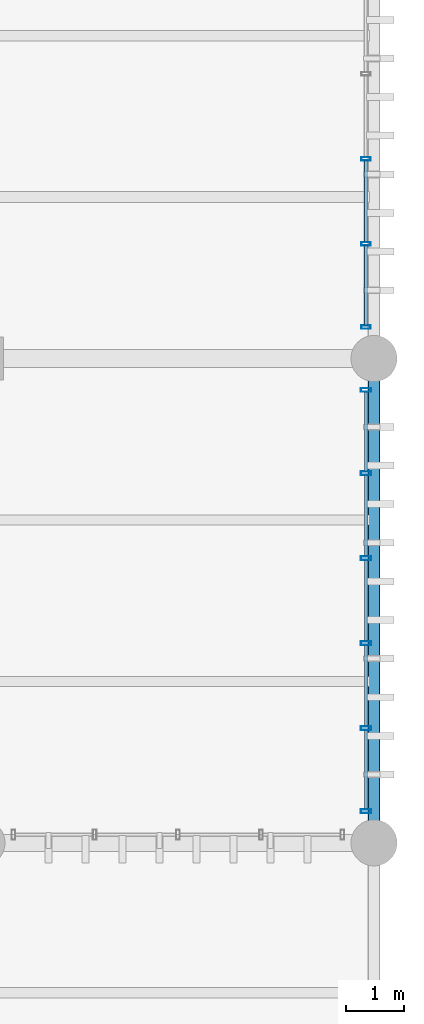
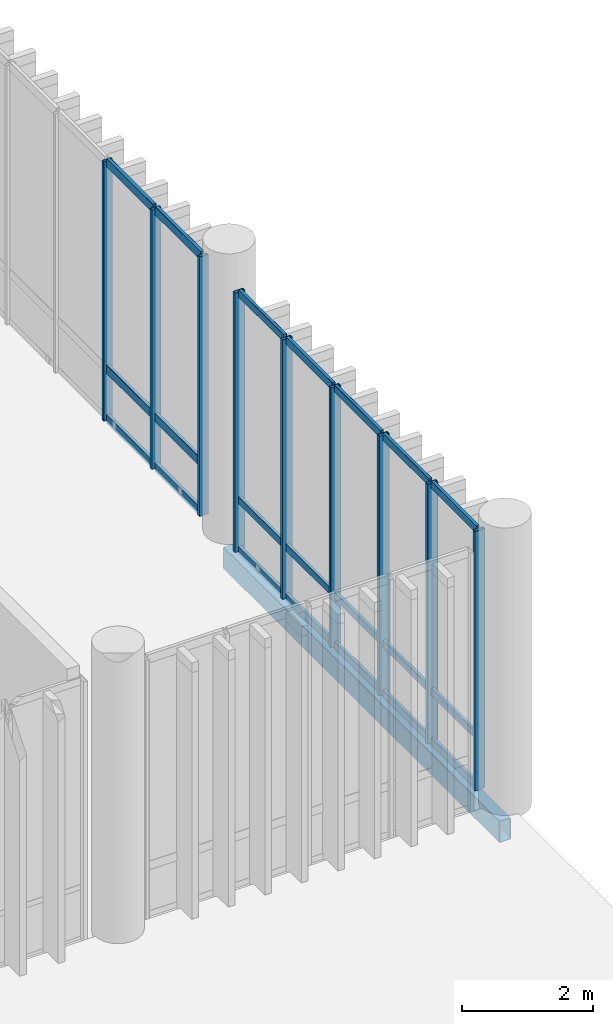
# One storey, part 83 of 128: 30 members, 1 beam, 2 elements without a shape of their own.
"""IFC4 building model written with IfcOpenShell, lengths in metres."""

from ifc_helpers import new_model, si_unit, direction, frame, origin_with_axes, origin_2d_with_axis, place, context, subcontext, project, spatial, hollow_rectangle, extrude, material, material_profile, profile_set, type_object, element, aggregate, save


model = new_model("IFC4")

# Units and contexts
model_context = context("Model", 3, precision=1e-05, world=origin_with_axes(), true_north=direction((0.0, 1.0)))
body_context = subcontext(model_context, "Body", "Model", "MODEL_VIEW")
ifc_project = project(units=[si_unit("LENGTHUNIT", "METRE"), si_unit("AREAUNIT", "SQUARE_METRE"), si_unit("VOLUMEUNIT", "CUBIC_METRE"), si_unit("PLANEANGLEUNIT", "RADIAN"), si_unit("MASSUNIT", "GRAM", prefix="KILO"), si_unit("THERMODYNAMICTEMPERATUREUNIT", "KELVIN")], contexts=[model_context])

# Site, building, storey
site_placement = place(None, origin_with_axes())
site = spatial("IfcSite", under=ifc_project, at=site_placement, CompositionType="ELEMENT")
building_placement = place(site_placement, origin_with_axes())
building = spatial("IfcBuilding", under=site, at=building_placement, Name="Montbau Bow Law Courts", CompositionType="ELEMENT")
storey_placement = place(building_placement, frame((0.0, 0.0, 5.4), z_axis=(0.0, 0.0, 1.0), x_axis=(1.0, 0.0, 0.0)))
storey = spatial("IfcBuildingStorey", under=building, at=storey_placement, Name="L01", CompositionType="ELEMENT", Elevation=5.4)

# Beam
ifc_material_1 = material(Name="Steel CSA G40.21 Grade 350WT (350 MPa)", Category="steel")
ifc_material_profile_1 = material_profile(ifc_material_1, hollow_rectangle(XDim=0.203, YDim=0.406, WallThickness=0.0127, InnerFilletRadius=0.0254, OuterFilletRadius=0.0127, at=origin_2d_with_axis()), Name="HSS406X203X13", Category="Main", Priority=0)
ifc_profile_set_1 = profile_set([ifc_material_profile_1], Name="Steel CSA G40.21 Grade 350WT (350 MPa)")
beam_type = type_object("IfcBeamType", Name="B-SPN-01", PredefinedType="SPANDREL", material=ifc_profile_set_1)
beam_placement = place(None, frame((169.4, 69.6, 4.907), z_axis=(0.0, 1.0, 0.0), x_axis=(-1.0, 0.0, 0.0)))
element("IfcBeam", 1, at=beam_placement, inside=storey, type_object=beam_type, Name="SPN-L01-S1159:bm2_1162", PredefinedType="SPANDREL", context=body_context, shape_type="SweptSolid", body=[
    extrude(hollow_rectangle(XDim=0.203, YDim=0.406, WallThickness=0.0127, InnerFilletRadius=0.0254, OuterFilletRadius=0.0127, at=origin_2d_with_axis()), origin_with_axes(), (0.0, 0.0, 1.0), 8.4),
])

# Curtain wall, members
ifc_material_2 = material(Name="Thermally Broken Extruded Aluminium AA 6063-T6", Category="aluminium")
curtain_wall_type = type_object("IfcCurtainWallType", Name="CW-SLT-01", PredefinedType="NOTDEFINED", material=ifc_material_2)
curtain_wall_1_placement = place(None, frame((169.26, 70.115, 5.4), z_axis=(0.0, 0.0, 1.0), x_axis=(1.0, 0.0, 0.0)))
curtain_wall_1 = element("IfcCurtainWall", 2, at=curtain_wall_1_placement, inside=storey, type_object=curtain_wall_type, Name="CW-L01-289:cw_0289", PredefinedType="NOTDEFINED")
ifc_material_profile_2 = material_profile(ifc_material_2, hollow_rectangle(XDim=0.065, YDim=0.18, WallThickness=0.005, InnerFilletRadius=0.01, OuterFilletRadius=0.005, at=origin_2d_with_axis()), Name="CWM-180X65", Category="Main", Priority=0)
ifc_profile_set_2 = profile_set([ifc_material_profile_2], Name="Thermally Broken Extruded Aluminium AA 6063-T6")
member_type_1 = type_object("IfcMemberType", Name="M-MUL-02", PredefinedType="MULLION", material=ifc_profile_set_2)
member_1_placement = place(None, frame((169.26, 70.148, 5.4), z_axis=(0.0, 0.0, 1.0), x_axis=(0.0, 1.0, 0.0)))
member_1 = element("IfcMember", 3, at=member_1_placement, type_object=member_type_1, Name="CW-L01-289-M01:cw_0289_M01", PredefinedType="MULLION", context=body_context, shape_type="SweptSolid", body=[
    extrude(hollow_rectangle(XDim=0.065, YDim=0.18, WallThickness=0.005, InnerFilletRadius=0.01, OuterFilletRadius=0.005, at=origin_2d_with_axis()), origin_with_axes(), (0.0, 0.0, 1.0), 4.82),
])
member_2_placement = place(None, frame((169.26, 71.589, 5.4), z_axis=(0.0, 0.0, 1.0), x_axis=(0.0, 1.0, 0.0)))
member_2 = element("IfcMember", 4, at=member_2_placement, type_object=member_type_1, Name="CW-L01-289-M02:cw_0289_M02", PredefinedType="MULLION", context=body_context, shape_type="SweptSolid", body=[
    extrude(hollow_rectangle(XDim=0.065, YDim=0.18, WallThickness=0.005, InnerFilletRadius=0.01, OuterFilletRadius=0.005, at=origin_2d_with_axis()), origin_with_axes(), (0.0, 0.0, 1.0), 4.82),
])
member_3_placement = place(None, frame((169.26, 73.063, 5.4), z_axis=(0.0, 0.0, 1.0), x_axis=(0.0, 1.0, 0.0)))
member_3 = element("IfcMember", 5, at=member_3_placement, type_object=member_type_1, Name="CW-L01-289-M03:cw_0289_M03", PredefinedType="MULLION", context=body_context, shape_type="SweptSolid", body=[
    extrude(hollow_rectangle(XDim=0.065, YDim=0.18, WallThickness=0.005, InnerFilletRadius=0.01, OuterFilletRadius=0.005, at=origin_2d_with_axis()), origin_with_axes(), (0.0, 0.0, 1.0), 4.82),
])
member_4_placement = place(None, frame((169.26, 74.537, 5.4), z_axis=(0.0, 0.0, 1.0), x_axis=(0.0, 1.0, 0.0)))
member_4 = element("IfcMember", 6, at=member_4_placement, type_object=member_type_1, Name="CW-L01-289-M04:cw_0289_M04", PredefinedType="MULLION", context=body_context, shape_type="SweptSolid", body=[
    extrude(hollow_rectangle(XDim=0.065, YDim=0.18, WallThickness=0.005, InnerFilletRadius=0.01, OuterFilletRadius=0.005, at=origin_2d_with_axis()), origin_with_axes(), (0.0, 0.0, 1.0), 4.82),
])
member_5_placement = place(None, frame((169.26, 76.011, 5.4), z_axis=(0.0, 0.0, 1.0), x_axis=(0.0, 1.0, 0.0)))
member_5 = element("IfcMember", 7, at=member_5_placement, type_object=member_type_1, Name="CW-L01-289-M05:cw_0289_M05", PredefinedType="MULLION", context=body_context, shape_type="SweptSolid", body=[
    extrude(hollow_rectangle(XDim=0.065, YDim=0.18, WallThickness=0.005, InnerFilletRadius=0.01, OuterFilletRadius=0.005, at=origin_2d_with_axis()), origin_with_axes(), (0.0, 0.0, 1.0), 4.82),
])
member_6_placement = place(None, frame((169.26, 77.453, 5.4), z_axis=(0.0, 0.0, 1.0), x_axis=(0.0, 1.0, 0.0)))
member_6 = element("IfcMember", 8, at=member_6_placement, type_object=member_type_1, Name="CW-L01-289-M06:cw_0289_M06", PredefinedType="MULLION", context=body_context, shape_type="SweptSolid", body=[
    extrude(hollow_rectangle(XDim=0.065, YDim=0.18, WallThickness=0.005, InnerFilletRadius=0.01, OuterFilletRadius=0.005, at=origin_2d_with_axis()), origin_with_axes(), (0.0, 0.0, 1.0), 4.82),
])

curtain_wall_2_placement = place(None, frame((169.26, 78.515, 5.4), z_axis=(0.0, 0.0, 1.0), x_axis=(1.0, 0.0, 0.0)))
curtain_wall_2 = element("IfcCurtainWall", 9, at=curtain_wall_2_placement, inside=storey, type_object=curtain_wall_type, Name="CW-L01-290:cw_0290", PredefinedType="NOTDEFINED")
ifc_material_profile_3 = material_profile(ifc_material_2, hollow_rectangle(XDim=0.06, YDim=0.16, WallThickness=0.004, InnerFilletRadius=0.008, OuterFilletRadius=0.004, at=origin_2d_with_axis()), Name="CWM-160X60", Category="Main", Priority=0)
ifc_profile_set_3 = profile_set([ifc_material_profile_3], Name="Thermally Broken Extruded Aluminium AA 6063-T6")
member_type_2 = type_object("IfcMemberType", Name="M-MUL-03", PredefinedType="MULLION", material=ifc_profile_set_3)
member_7_placement = place(None, frame((169.26, 78.545, 5.4), z_axis=(0.0, 0.0, 1.0), x_axis=(0.0, 1.0, 0.0)))
member_7 = element("IfcMember", 10, at=member_7_placement, type_object=member_type_2, Name="CW-L01-290-M01:cw_0290_M01", PredefinedType="MULLION", context=body_context, shape_type="SweptSolid", body=[
    extrude(hollow_rectangle(XDim=0.06, YDim=0.16, WallThickness=0.004, InnerFilletRadius=0.008, OuterFilletRadius=0.004, at=origin_2d_with_axis()), origin_with_axes(), (0.0, 0.0, 1.0), 4.82),
])
member_8_placement = place(None, frame((169.26, 79.989, 5.4), z_axis=(0.0, 0.0, 1.0), x_axis=(0.0, 1.0, 0.0)))
member_8 = element("IfcMember", 11, at=member_8_placement, type_object=member_type_2, Name="CW-L01-290-M02:cw_0290_M02", PredefinedType="MULLION", context=body_context, shape_type="SweptSolid", body=[
    extrude(hollow_rectangle(XDim=0.06, YDim=0.16, WallThickness=0.004, InnerFilletRadius=0.008, OuterFilletRadius=0.004, at=origin_2d_with_axis()), origin_with_axes(), (0.0, 0.0, 1.0), 4.82),
])
member_9_placement = place(None, frame((169.26, 81.463, 5.4), z_axis=(0.0, 0.0, 1.0), x_axis=(0.0, 1.0, 0.0)))
member_9 = element("IfcMember", 12, at=member_9_placement, type_object=member_type_2, Name="CW-L01-290-M03:cw_0290_M03", PredefinedType="MULLION", context=body_context, shape_type="SweptSolid", body=[
    extrude(hollow_rectangle(XDim=0.06, YDim=0.16, WallThickness=0.004, InnerFilletRadius=0.008, OuterFilletRadius=0.004, at=origin_2d_with_axis()), origin_with_axes(), (0.0, 0.0, 1.0), 4.82),
])
ifc_material_profile_4 = material_profile(ifc_material_2, hollow_rectangle(XDim=0.06, YDim=0.16, WallThickness=0.004, InnerFilletRadius=0.008, OuterFilletRadius=0.004, at=origin_2d_with_axis()), Name="CWT-160X60", Category="Main", Priority=0)
ifc_profile_set_4 = profile_set([ifc_material_profile_4], Name="Thermally Broken Extruded Aluminium AA 6063-T6")
member_type_3 = type_object("IfcMemberType", Name="M-TRN-01", PredefinedType="USERDEFINED", material=ifc_profile_set_4)
member_10_placement = place(None, frame((169.26, 78.577, 5.43), z_axis=(0.0, 1.0, 0.0), x_axis=(-1.0, 0.0, 0.0)))
member_10 = element("IfcMember", 13, at=member_10_placement, type_object=member_type_3, Name="CW-L01-290-T01-1:cw_0290_T01_1", ObjectType="TRANSOM", PredefinedType="USERDEFINED", context=body_context, shape_type="SweptSolid", body=[
    extrude(hollow_rectangle(XDim=0.06, YDim=0.16, WallThickness=0.004, InnerFilletRadius=0.008, OuterFilletRadius=0.004, at=origin_2d_with_axis()), origin_with_axes(), (0.0, 0.0, 1.0), 1.38),
])
member_11_placement = place(None, frame((169.26, 78.577, 6.35), z_axis=(0.0, 1.0, 0.0), x_axis=(-1.0, 0.0, 0.0)))
member_11 = element("IfcMember", 14, at=member_11_placement, type_object=member_type_3, Name="CW-L01-290-T01-2:cw_0290_T01_2", ObjectType="TRANSOM", PredefinedType="USERDEFINED", context=body_context, shape_type="SweptSolid", body=[
    extrude(hollow_rectangle(XDim=0.06, YDim=0.16, WallThickness=0.004, InnerFilletRadius=0.008, OuterFilletRadius=0.004, at=origin_2d_with_axis()), origin_with_axes(), (0.0, 0.0, 1.0), 1.38),
])
member_12_placement = place(None, frame((169.26, 78.577, 10.19), z_axis=(0.0, 1.0, 0.0), x_axis=(-1.0, 0.0, 0.0)))
member_12 = element("IfcMember", 15, at=member_12_placement, type_object=member_type_3, Name="CW-L01-290-T01-3:cw_0290_T01_3", ObjectType="TRANSOM", PredefinedType="USERDEFINED", context=body_context, shape_type="SweptSolid", body=[
    extrude(hollow_rectangle(XDim=0.06, YDim=0.16, WallThickness=0.004, InnerFilletRadius=0.008, OuterFilletRadius=0.004, at=origin_2d_with_axis()), origin_with_axes(), (0.0, 0.0, 1.0), 1.38),
])
member_13_placement = place(None, frame((169.26, 80.021, 5.43), z_axis=(0.0, 1.0, 0.0), x_axis=(-1.0, 0.0, 0.0)))
member_13 = element("IfcMember", 16, at=member_13_placement, type_object=member_type_3, Name="CW-L01-290-T02-1:cw_0290_T02_1", ObjectType="TRANSOM", PredefinedType="USERDEFINED", context=body_context, shape_type="SweptSolid", body=[
    extrude(hollow_rectangle(XDim=0.06, YDim=0.16, WallThickness=0.004, InnerFilletRadius=0.008, OuterFilletRadius=0.004, at=origin_2d_with_axis()), origin_with_axes(), (0.0, 0.0, 1.0), 1.41),
])
member_14_placement = place(None, frame((169.26, 80.021, 6.35), z_axis=(0.0, 1.0, 0.0), x_axis=(-1.0, 0.0, 0.0)))
member_14 = element("IfcMember", 17, at=member_14_placement, type_object=member_type_3, Name="CW-L01-290-T02-2:cw_0290_T02_2", ObjectType="TRANSOM", PredefinedType="USERDEFINED", context=body_context, shape_type="SweptSolid", body=[
    extrude(hollow_rectangle(XDim=0.06, YDim=0.16, WallThickness=0.004, InnerFilletRadius=0.008, OuterFilletRadius=0.004, at=origin_2d_with_axis()), origin_with_axes(), (0.0, 0.0, 1.0), 1.41),
])
member_15_placement = place(None, frame((169.26, 80.021, 10.19), z_axis=(0.0, 1.0, 0.0), x_axis=(-1.0, 0.0, 0.0)))
member_15 = element("IfcMember", 18, at=member_15_placement, type_object=member_type_3, Name="CW-L01-290-T02-3:cw_0290_T02_3", ObjectType="TRANSOM", PredefinedType="USERDEFINED", context=body_context, shape_type="SweptSolid", body=[
    extrude(hollow_rectangle(XDim=0.06, YDim=0.16, WallThickness=0.004, InnerFilletRadius=0.008, OuterFilletRadius=0.004, at=origin_2d_with_axis()), origin_with_axes(), (0.0, 0.0, 1.0), 1.41),
])
aggregate(curtain_wall_2, [member_7, member_8, member_9, member_10, member_11, member_12, member_13, member_14, member_15])

# Member
ifc_material_profile_5 = material_profile(ifc_material_2, hollow_rectangle(XDim=0.055, YDim=0.14, WallThickness=0.004, InnerFilletRadius=0.008, OuterFilletRadius=0.004, at=origin_2d_with_axis()), Name="CWT-140X55", Category="Main", Priority=0)
ifc_profile_set_5 = profile_set([ifc_material_profile_5], Name="Thermally Broken Extruded Aluminium AA 6063-T6")
member_type_4 = type_object("IfcMemberType", Name="M-TRN-02", PredefinedType="USERDEFINED", material=ifc_profile_set_5)
member_16_placement = place(None, frame((169.26, 70.183, 5.428), z_axis=(0.0, 1.0, 0.0), x_axis=(-1.0, 0.0, 0.0)))
member_16 = element("IfcMember", 19, at=member_16_placement, type_object=member_type_4, Name="CW-L01-289-T01-1:cw_0289_T01_1", ObjectType="TRANSOM", PredefinedType="USERDEFINED", context=body_context, shape_type="SweptSolid", body=[
    extrude(hollow_rectangle(XDim=0.055, YDim=0.14, WallThickness=0.004, InnerFilletRadius=0.008, OuterFilletRadius=0.004, at=origin_2d_with_axis()), origin_with_axes(), (0.0, 0.0, 1.0), 1.372),
])

member_17_placement = place(None, frame((169.26, 70.183, 6.35), z_axis=(0.0, 1.0, 0.0), x_axis=(-1.0, 0.0, 0.0)))
member_17 = element("IfcMember", 20, at=member_17_placement, type_object=member_type_4, Name="CW-L01-289-T01-2:cw_0289_T01_2", ObjectType="TRANSOM", PredefinedType="USERDEFINED", context=body_context, shape_type="SweptSolid", body=[
    extrude(hollow_rectangle(XDim=0.055, YDim=0.14, WallThickness=0.004, InnerFilletRadius=0.008, OuterFilletRadius=0.004, at=origin_2d_with_axis()), origin_with_axes(), (0.0, 0.0, 1.0), 1.372),
])

member_18_placement = place(None, frame((169.26, 70.183, 10.193), z_axis=(0.0, 1.0, 0.0), x_axis=(-1.0, 0.0, 0.0)))
member_18 = element("IfcMember", 21, at=member_18_placement, type_object=member_type_4, Name="CW-L01-289-T01-3:cw_0289_T01_3", ObjectType="TRANSOM", PredefinedType="USERDEFINED", context=body_context, shape_type="SweptSolid", body=[
    extrude(hollow_rectangle(XDim=0.055, YDim=0.14, WallThickness=0.004, InnerFilletRadius=0.008, OuterFilletRadius=0.004, at=origin_2d_with_axis()), origin_with_axes(), (0.0, 0.0, 1.0), 1.372),
])

member_19_placement = place(None, frame((169.26, 71.623, 5.428), z_axis=(0.0, 1.0, 0.0), x_axis=(-1.0, 0.0, 0.0)))
member_19 = element("IfcMember", 22, at=member_19_placement, type_object=member_type_4, Name="CW-L01-289-T02-1:cw_0289_T02_1", ObjectType="TRANSOM", PredefinedType="USERDEFINED", context=body_context, shape_type="SweptSolid", body=[
    extrude(hollow_rectangle(XDim=0.055, YDim=0.14, WallThickness=0.004, InnerFilletRadius=0.008, OuterFilletRadius=0.004, at=origin_2d_with_axis()), origin_with_axes(), (0.0, 0.0, 1.0), 1.405),
])

member_20_placement = place(None, frame((169.26, 71.623, 6.35), z_axis=(0.0, 1.0, 0.0), x_axis=(-1.0, 0.0, 0.0)))
member_20 = element("IfcMember", 23, at=member_20_placement, type_object=member_type_4, Name="CW-L01-289-T02-2:cw_0289_T02_2", ObjectType="TRANSOM", PredefinedType="USERDEFINED", context=body_context, shape_type="SweptSolid", body=[
    extrude(hollow_rectangle(XDim=0.055, YDim=0.14, WallThickness=0.004, InnerFilletRadius=0.008, OuterFilletRadius=0.004, at=origin_2d_with_axis()), origin_with_axes(), (0.0, 0.0, 1.0), 1.405),
])

member_21_placement = place(None, frame((169.26, 71.623, 10.193), z_axis=(0.0, 1.0, 0.0), x_axis=(-1.0, 0.0, 0.0)))
member_21 = element("IfcMember", 24, at=member_21_placement, type_object=member_type_4, Name="CW-L01-289-T02-3:cw_0289_T02_3", ObjectType="TRANSOM", PredefinedType="USERDEFINED", context=body_context, shape_type="SweptSolid", body=[
    extrude(hollow_rectangle(XDim=0.055, YDim=0.14, WallThickness=0.004, InnerFilletRadius=0.008, OuterFilletRadius=0.004, at=origin_2d_with_axis()), origin_with_axes(), (0.0, 0.0, 1.0), 1.405),
])

member_22_placement = place(None, frame((169.26, 73.097, 5.428), z_axis=(0.0, 1.0, 0.0), x_axis=(-1.0, 0.0, 0.0)))
member_22 = element("IfcMember", 25, at=member_22_placement, type_object=member_type_4, Name="CW-L01-289-T03-1:cw_0289_T03_1", ObjectType="TRANSOM", PredefinedType="USERDEFINED", context=body_context, shape_type="SweptSolid", body=[
    extrude(hollow_rectangle(XDim=0.055, YDim=0.14, WallThickness=0.004, InnerFilletRadius=0.008, OuterFilletRadius=0.004, at=origin_2d_with_axis()), origin_with_axes(), (0.0, 0.0, 1.0), 1.406),
])

member_23_placement = place(None, frame((169.26, 73.097, 6.35), z_axis=(0.0, 1.0, 0.0), x_axis=(-1.0, 0.0, 0.0)))
member_23 = element("IfcMember", 26, at=member_23_placement, type_object=member_type_4, Name="CW-L01-289-T03-2:cw_0289_T03_2", ObjectType="TRANSOM", PredefinedType="USERDEFINED", context=body_context, shape_type="SweptSolid", body=[
    extrude(hollow_rectangle(XDim=0.055, YDim=0.14, WallThickness=0.004, InnerFilletRadius=0.008, OuterFilletRadius=0.004, at=origin_2d_with_axis()), origin_with_axes(), (0.0, 0.0, 1.0), 1.406),
])

member_24_placement = place(None, frame((169.26, 73.097, 10.193), z_axis=(0.0, 1.0, 0.0), x_axis=(-1.0, 0.0, 0.0)))
member_24 = element("IfcMember", 27, at=member_24_placement, type_object=member_type_4, Name="CW-L01-289-T03-3:cw_0289_T03_3", ObjectType="TRANSOM", PredefinedType="USERDEFINED", context=body_context, shape_type="SweptSolid", body=[
    extrude(hollow_rectangle(XDim=0.055, YDim=0.14, WallThickness=0.004, InnerFilletRadius=0.008, OuterFilletRadius=0.004, at=origin_2d_with_axis()), origin_with_axes(), (0.0, 0.0, 1.0), 1.406),
])

member_25_placement = place(None, frame((169.26, 74.571, 5.428), z_axis=(0.0, 1.0, 0.0), x_axis=(-1.0, 0.0, 0.0)))
member_25 = element("IfcMember", 28, at=member_25_placement, type_object=member_type_4, Name="CW-L01-289-T04-1:cw_0289_T04_1", ObjectType="TRANSOM", PredefinedType="USERDEFINED", context=body_context, shape_type="SweptSolid", body=[
    extrude(hollow_rectangle(XDim=0.055, YDim=0.14, WallThickness=0.004, InnerFilletRadius=0.008, OuterFilletRadius=0.004, at=origin_2d_with_axis()), origin_with_axes(), (0.0, 0.0, 1.0), 1.406),
])

member_26_placement = place(None, frame((169.26, 74.571, 6.35), z_axis=(0.0, 1.0, 0.0), x_axis=(-1.0, 0.0, 0.0)))
member_26 = element("IfcMember", 29, at=member_26_placement, type_object=member_type_4, Name="CW-L01-289-T04-2:cw_0289_T04_2", ObjectType="TRANSOM", PredefinedType="USERDEFINED", context=body_context, shape_type="SweptSolid", body=[
    extrude(hollow_rectangle(XDim=0.055, YDim=0.14, WallThickness=0.004, InnerFilletRadius=0.008, OuterFilletRadius=0.004, at=origin_2d_with_axis()), origin_with_axes(), (0.0, 0.0, 1.0), 1.406),
])

member_27_placement = place(None, frame((169.26, 74.571, 10.193), z_axis=(0.0, 1.0, 0.0), x_axis=(-1.0, 0.0, 0.0)))
member_27 = element("IfcMember", 30, at=member_27_placement, type_object=member_type_4, Name="CW-L01-289-T04-3:cw_0289_T04_3", ObjectType="TRANSOM", PredefinedType="USERDEFINED", context=body_context, shape_type="SweptSolid", body=[
    extrude(hollow_rectangle(XDim=0.055, YDim=0.14, WallThickness=0.004, InnerFilletRadius=0.008, OuterFilletRadius=0.004, at=origin_2d_with_axis()), origin_with_axes(), (0.0, 0.0, 1.0), 1.406),
])

member_28_placement = place(None, frame((169.26, 76.045, 5.428), z_axis=(0.0, 1.0, 0.0), x_axis=(-1.0, 0.0, 0.0)))
member_28 = element("IfcMember", 31, at=member_28_placement, type_object=member_type_4, Name="CW-L01-289-T05-1:cw_0289_T05_1", ObjectType="TRANSOM", PredefinedType="USERDEFINED", context=body_context, shape_type="SweptSolid", body=[
    extrude(hollow_rectangle(XDim=0.055, YDim=0.14, WallThickness=0.004, InnerFilletRadius=0.008, OuterFilletRadius=0.004, at=origin_2d_with_axis()), origin_with_axes(), (0.0, 0.0, 1.0), 1.374),
])

member_29_placement = place(None, frame((169.26, 76.045, 6.35), z_axis=(0.0, 1.0, 0.0), x_axis=(-1.0, 0.0, 0.0)))
member_29 = element("IfcMember", 32, at=member_29_placement, type_object=member_type_4, Name="CW-L01-289-T05-2:cw_0289_T05_2", ObjectType="TRANSOM", PredefinedType="USERDEFINED", context=body_context, shape_type="SweptSolid", body=[
    extrude(hollow_rectangle(XDim=0.055, YDim=0.14, WallThickness=0.004, InnerFilletRadius=0.008, OuterFilletRadius=0.004, at=origin_2d_with_axis()), origin_with_axes(), (0.0, 0.0, 1.0), 1.374),
])

member_30_placement = place(None, frame((169.26, 76.045, 10.193), z_axis=(0.0, 1.0, 0.0), x_axis=(-1.0, 0.0, 0.0)))
member_30 = element("IfcMember", 33, at=member_30_placement, type_object=member_type_4, Name="CW-L01-289-T05-3:cw_0289_T05_3", ObjectType="TRANSOM", PredefinedType="USERDEFINED", context=body_context, shape_type="SweptSolid", body=[
    extrude(hollow_rectangle(XDim=0.055, YDim=0.14, WallThickness=0.004, InnerFilletRadius=0.008, OuterFilletRadius=0.004, at=origin_2d_with_axis()), origin_with_axes(), (0.0, 0.0, 1.0), 1.374),
])

aggregate(curtain_wall_1, [member_1, member_2, member_3, member_4, member_5, member_6, member_16, member_17, member_18, member_19, member_20, member_21, member_22, member_23, member_24, member_25, member_26, member_27, member_28, member_29, member_30])

save(model, "model.ifc")
